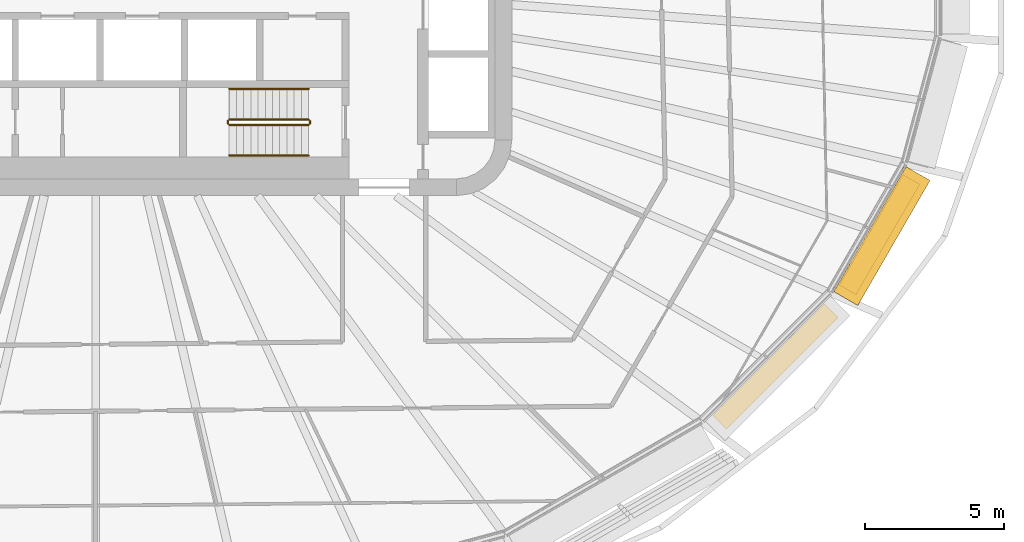
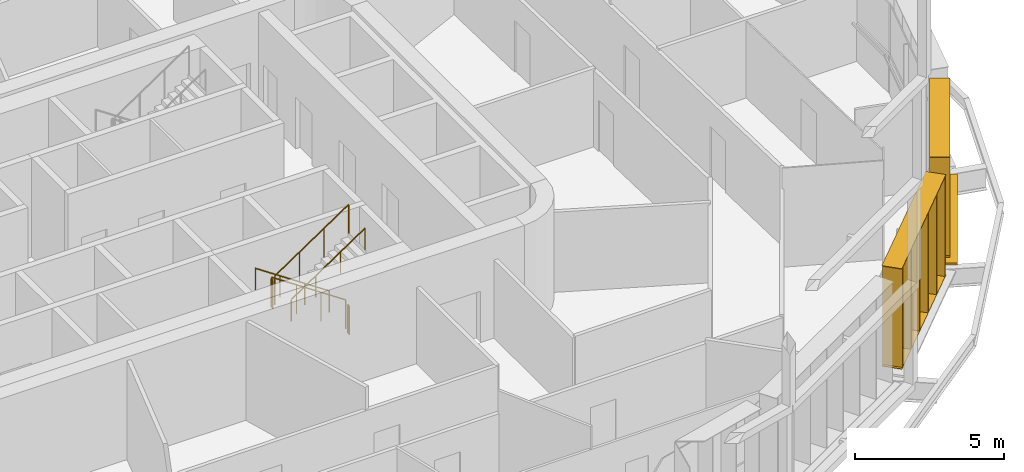
# One storey, part 21 of 23: 6 railings, 3 shading devices.
"""IFC4 building model written with IfcOpenShell, lengths in metres."""

from ifc_helpers import new_model, si_unit, direction, frame, origin, origin_2d, place, context, subcontext, project, spatial, rectangle, circle, extrude, material, type_object, element, save


model = new_model("IFC4")

# Units and contexts
model_context = context("Model", 3, precision=1e-05, world=origin(), true_north=direction((0.0, 1.0)))
body_context = subcontext(model_context, "Body", "Model", "MODEL_VIEW")
ifc_project = project(units=[si_unit("LENGTHUNIT", "METRE"), si_unit("AREAUNIT", "SQUARE_METRE"), si_unit("VOLUMEUNIT", "CUBIC_METRE"), si_unit("PLANEANGLEUNIT", "RADIAN"), si_unit("MASSUNIT", "GRAM", prefix="KILO")], contexts=[model_context])

# Site, building, storey
site_placement = place(None, origin())
site = spatial("IfcSite", under=ifc_project, at=site_placement, CompositionType="ELEMENT")
building_placement = place(site_placement, origin())
building = spatial("IfcBuilding", under=site, at=building_placement, Name="Sahrelin Media Tower", CompositionType="ELEMENT")
storey_placement = place(building_placement, frame((0.0, 0.0, 54.60009765625)))
storey = spatial("IfcBuildingStorey", under=building, at=storey_placement, Name="L08", CompositionType="ELEMENT", Elevation=54.60009765625)

# Shading devices
ifc_material_1 = material(Name="Champagne anodised aluminium 6063-T6", Category="aluminium")
shading_device_type_1 = type_object("IfcShadingDeviceType", Name="Fin cassette", PredefinedType="USERDEFINED", material=ifc_material_1)
shading_device_1_placement = place(storey_placement, frame((24.21826171875, -13.861572265625, 0.0), z_axis=(0.0, 0.0, 1.0), x_axis=(-0.707106781187, -0.707106781187, 0.0)))
element("IfcShadingDevice", 1, at=shading_device_1_placement, inside=storey, type_object=shading_device_type_1, Name="L08:FIN:L08-21", ObjectType="FIN", PredefinedType="USERDEFINED", context=body_context, shape_type="SweptSolid", body=[
    extrude(rectangle(XDim=5.699951171875, YDim=0.699951171875, at=origin_2d()), frame((0.0, 0.419921875, 0.0)), (0.0, 0.0, 1.0), 0.02001953125),
    extrude(rectangle(XDim=5.699951171875, YDim=0.699951171875, at=origin_2d()), frame((0.0, 0.419921875, 4.10009765625)), (0.0, 0.0, 1.0), 0.02001953125),
    extrude(rectangle(XDim=0.02001953125, YDim=0.699951171875, at=origin_2d()), frame((-2.75, 0.419921875, 0.010009765625), z_axis=(0.0, 0.0, 1.0), x_axis=(1.0, 0.0, 0.0)), (0.0, 0.0, 1.0), 4.10009765625),
    extrude(rectangle(XDim=0.02001953125, YDim=0.699951171875, at=origin_2d()), frame((-1.64990234375, 0.419921875, 0.010009765625), z_axis=(0.0, 0.0, 1.0), x_axis=(1.0, 0.0, 0.0)), (0.0, 0.0, 1.0), 4.10009765625),
    extrude(rectangle(XDim=0.02001953125, YDim=0.699951171875, at=origin_2d()), frame((-0.550048828125, 0.419921875, 0.010009765625), z_axis=(0.0, 0.0, 1.0), x_axis=(1.0, 0.0, 0.0)), (0.0, 0.0, 1.0), 4.10009765625),
    extrude(rectangle(XDim=0.02001953125, YDim=0.699951171875, at=origin_2d()), frame((0.550048828125, 0.419921875, 0.010009765625), z_axis=(0.0, 0.0, 1.0), x_axis=(1.0, 0.0, 0.0)), (0.0, 0.0, 1.0), 4.10009765625),
    extrude(rectangle(XDim=0.02001953125, YDim=0.699951171875, at=origin_2d()), frame((1.64990234375, 0.419921875, 0.010009765625), z_axis=(0.0, 0.0, 1.0), x_axis=(1.0, 0.0, 0.0)), (0.0, 0.0, 1.0), 4.10009765625),
    extrude(rectangle(XDim=0.02001953125, YDim=0.699951171875, at=origin_2d()), frame((2.75, 0.419921875, 0.010009765625), z_axis=(0.0, 0.0, 1.0), x_axis=(1.0, 0.0, 0.0)), (0.0, 0.0, 1.0), 4.10009765625),
])
placement = place(storey_placement, frame((27.893798828125, -9.196533203125, 0.0), z_axis=(0.0, 0.0, 1.0), x_axis=(-0.500011000363, -0.866019052629, 0.0)))
element("IfcShadingDevice", 2, at=placement, inside=storey, type_object=shading_device_type_1, Name="L08:FIN:L08-22", ObjectType="FIN", PredefinedType="USERDEFINED", context=body_context, shape_type="SweptSolid", body=[
    extrude(rectangle(XDim=4.60009765625, YDim=0.699951171875, at=origin_2d()), frame((0.0, 0.419921875, 0.0)), (0.0, 0.0, 1.0), 0.02001953125),
    extrude(rectangle(XDim=4.60009765625, YDim=0.699951171875, at=origin_2d()), frame((0.0, 0.419921875, 4.10009765625)), (0.0, 0.0, 1.0), 0.02001953125),
    extrude(rectangle(XDim=0.02001953125, YDim=0.699951171875, at=origin_2d()), frame((-2.199951171875, 0.419921875, 0.010009765625), z_axis=(0.0, 0.0, 1.0), x_axis=(1.0, 0.0, 0.0)), (0.0, 0.0, 1.0), 4.10009765625),
    extrude(rectangle(XDim=0.02001953125, YDim=0.699951171875, at=origin_2d()), frame((-1.10009765625, 0.419921875, 0.010009765625), z_axis=(0.0, 0.0, 1.0), x_axis=(1.0, 0.0, 0.0)), (0.0, 0.0, 1.0), 4.10009765625),
    extrude(rectangle(XDim=0.02001953125, YDim=0.699951171875, at=origin_2d()), frame((0.0, 0.419921875, 0.010009765625), z_axis=(0.0, 0.0, 1.0), x_axis=(1.0, 0.0, 0.0)), (0.0, 0.0, 1.0), 4.10009765625),
    extrude(rectangle(XDim=0.02001953125, YDim=0.699951171875, at=origin_2d()), frame((1.10009765625, 0.419921875, 0.010009765625), z_axis=(0.0, 0.0, 1.0), x_axis=(1.0, 0.0, 0.0)), (0.0, 0.0, 1.0), 4.10009765625),
    extrude(rectangle(XDim=0.02001953125, YDim=0.699951171875, at=origin_2d()), frame((2.199951171875, 0.419921875, 0.010009765625), z_axis=(0.0, 0.0, 1.0), x_axis=(1.0, 0.0, 0.0)), (0.0, 0.0, 1.0), 4.10009765625),
])

# Railings
ifc_material_2 = material(Name="Steel S355", Category="steel")
railing_type_1 = type_object("IfcRailingType", Name="Stair guard 1200", PredefinedType="GUARDRAIL", material=ifc_material_2)
railing_1_placement = place(storey_placement, frame((7.675048828125, -5.25, 0.1748046875)))
element("IfcRailing", 3, at=railing_1_placement, inside=storey, type_object=railing_type_1, Name="L08 ST2 stair guard 1", PredefinedType="GUARDRAIL", context=body_context, shape_type="SweptSolid", body=[
    extrude(circle(Radius=0.02392578125, at=origin_2d()), frame((0.0, 0.0, 1.17578125), z_axis=(-0.829590901723, 0.0, 0.558371682465), x_axis=(0.0, -1.0, 0.0)), (0.0, 0.0, 1.0), 3.447509765625),
    extrude(circle(Radius=0.02099609375, at=origin_2d()), origin(), (0.0, 0.0, 1.0), 1.15185546875),
    extrude(circle(Radius=0.02099609375, at=origin_2d()), frame((-0.953369140625, 0.0, 0.6416015625)), (0.0, 0.0, 1.0), 1.15185546875),
    extrude(circle(Radius=0.02099609375, at=origin_2d()), frame((-1.90673828125, 0.0, 1.283447265625)), (0.0, 0.0, 1.0), 1.15185546875),
    extrude(circle(Radius=0.02099609375, at=origin_2d()), frame((-2.860107421875, 0.0, 1.925048828125)), (0.0, 0.0, 1.0), 1.15185546875),
])
railing_2_placement = place(storey_placement, frame((4.764892578125, -5.300048828125, 2.099853515625)))
element("IfcRailing", 4, at=railing_2_placement, inside=storey, type_object=railing_type_1, Name="L08 ST2 stair guard 2", PredefinedType="GUARDRAIL", context=body_context, shape_type="SweptSolid", body=[
    extrude(circle(Radius=0.02392578125, at=origin_2d()), frame((0.0, 0.0, 1.17578125), z_axis=(0.0, -1.0, 0.0), x_axis=(1.0, 0.0, 0.0)), (0.0, 0.0, 1.0), 0.099853515625),
    extrude(circle(Radius=0.02099609375, at=origin_2d()), origin(), (0.0, 0.0, 1.0), 1.15185546875),
    extrude(circle(Radius=0.02099609375, at=origin_2d()), frame((0.0, -0.099853515625, 0.0)), (0.0, 0.0, 1.0), 1.15185546875),
])
railing_3_placement = place(storey_placement, frame((4.81494140625, -5.449951171875, 2.27490234375)))
element("IfcRailing", 5, at=railing_3_placement, inside=storey, type_object=railing_type_1, Name="L08 ST2 stair guard 3", PredefinedType="GUARDRAIL", context=body_context, shape_type="SweptSolid", body=[
    extrude(circle(Radius=0.02392578125, at=origin_2d()), frame((0.0, 0.0, 1.17578125), z_axis=(0.829590901723, 0.0, 0.558371682465), x_axis=(0.0, 1.0, 0.0)), (0.0, 0.0, 1.0), 3.447509765625),
    extrude(circle(Radius=0.02099609375, at=origin_2d()), origin(), (0.0, 0.0, 1.0), 1.15185546875),
    extrude(circle(Radius=0.02099609375, at=origin_2d()), frame((0.953369140625, 0.0, 0.6416015625)), (0.0, 0.0, 1.0), 1.15185546875),
    extrude(circle(Radius=0.02099609375, at=origin_2d()), frame((1.90673828125, 0.0, 1.283447265625)), (0.0, 0.0, 1.0), 1.15185546875),
    extrude(circle(Radius=0.02099609375, at=origin_2d()), frame((2.860107421875, 0.0, 1.925048828125)), (0.0, 0.0, 1.0), 1.15185546875),
])
railing_4_placement = place(storey_placement, frame((7.72509765625, -5.300048828125, 0.0)))
element("IfcRailing", 6, at=railing_4_placement, inside=storey, type_object=railing_type_1, Name="L08 ST2 stair guard 4", PredefinedType="GUARDRAIL", context=body_context, shape_type="SweptSolid", body=[
    extrude(circle(Radius=0.02392578125, at=origin_2d()), frame((0.0, 0.0, 1.17578125), z_axis=(0.0, -1.0, 0.0), x_axis=(1.0, 0.0, 0.0)), (0.0, 0.0, 1.0), 0.099853515625),
    extrude(circle(Radius=0.02099609375, at=origin_2d()), origin(), (0.0, 0.0, 1.0), 1.15185546875),
    extrude(circle(Radius=0.02099609375, at=origin_2d()), frame((0.0, -0.099853515625, 0.0)), (0.0, 0.0, 1.0), 1.15185546875),
])
railing_type_2 = type_object("IfcRailingType", Name="Stair handrail 900", PredefinedType="HANDRAIL", material=ifc_material_2)
railing_5_placement = place(storey_placement, frame((7.675048828125, -4.14990234375, 0.1748046875)))
element("IfcRailing", 7, at=railing_5_placement, inside=storey, type_object=railing_type_2, Name="L08 ST2 stair handrail 1", PredefinedType="HANDRAIL", context=body_context, shape_type="SweptSolid", body=[
    extrude(circle(Radius=0.02392578125, at=origin_2d()), frame((0.0, 0.0, 0.8759765625), z_axis=(-0.829590901723, 0.0, 0.558371682465), x_axis=(0.0, -1.0, 0.0)), (0.0, 0.0, 1.0), 3.447509765625),
    extrude(circle(Radius=0.02099609375, at=origin_2d()), origin(), (0.0, 0.0, 1.0), 0.851806640625),
    extrude(circle(Radius=0.02099609375, at=origin_2d()), frame((-0.953369140625, 0.0, 0.6416015625)), (0.0, 0.0, 1.0), 0.851806640625),
    extrude(circle(Radius=0.02099609375, at=origin_2d()), frame((-1.90673828125, 0.0, 1.283447265625)), (0.0, 0.0, 1.0), 0.851806640625),
    extrude(circle(Radius=0.02099609375, at=origin_2d()), frame((-2.860107421875, 0.0, 1.925048828125)), (0.0, 0.0, 1.0), 0.851806640625),
])
railing_6_placement = place(storey_placement, frame((4.81494140625, -6.550048828125, 2.27490234375)))
element("IfcRailing", 8, at=railing_6_placement, inside=storey, type_object=railing_type_2, Name="L08 ST2 stair handrail 2", PredefinedType="HANDRAIL", context=body_context, shape_type="SweptSolid", body=[
    extrude(circle(Radius=0.02392578125, at=origin_2d()), frame((0.0, 0.0, 0.8759765625), z_axis=(0.829590901723, 0.0, 0.558371682465), x_axis=(0.0, 1.0, 0.0)), (0.0, 0.0, 1.0), 3.447509765625),
    extrude(circle(Radius=0.02099609375, at=origin_2d()), origin(), (0.0, 0.0, 1.0), 0.851806640625),
    extrude(circle(Radius=0.02099609375, at=origin_2d()), frame((0.953369140625, 0.0, 0.6416015625)), (0.0, 0.0, 1.0), 0.851806640625),
    extrude(circle(Radius=0.02099609375, at=origin_2d()), frame((1.90673828125, 0.0, 1.283447265625)), (0.0, 0.0, 1.0), 0.851806640625),
    extrude(circle(Radius=0.02099609375, at=origin_2d()), frame((2.860107421875, 0.0, 1.925048828125)), (0.0, 0.0, 1.0), 0.851806640625),
])

# Shading device
shading_device_type_2 = type_object("IfcShadingDeviceType", Name="Sunshade band", PredefinedType="USERDEFINED", material=ifc_material_1)
element("IfcShadingDevice", 9, at=placement, inside=storey, type_object=shading_device_type_2, Name="L08:SUN:L08-22", ObjectType="SUNSHADE", PredefinedType="USERDEFINED", context=body_context, shape_type="SweptSolid", body=[
    extrude(rectangle(XDim=5.205810546875, YDim=0.050048828125, at=origin_2d()), frame((0.0, 0.044921875, -0.55126953125)), (0.0, 0.0, 1.0), 0.471435546875),
    extrude(rectangle(XDim=5.205810546875, YDim=1.0, at=origin_2d()), frame((0.0, 0.52001953125, -0.080078125)), (0.0, 0.0, 1.0), 0.080078125),
    extrude(rectangle(XDim=0.10009765625, YDim=0.074951171875, at=origin_2d()), frame((-2.502685546875, -0.017578125, -0.47021484375)), (0.0, 0.0, 1.0), 0.300048828125),
    extrude(rectangle(XDim=0.10009765625, YDim=0.074951171875, at=origin_2d()), frame((-0.834228515625, -0.017578125, -0.47021484375)), (0.0, 0.0, 1.0), 0.300048828125),
    extrude(rectangle(XDim=0.10009765625, YDim=0.074951171875, at=origin_2d()), frame((0.834228515625, -0.017578125, -0.47021484375)), (0.0, 0.0, 1.0), 0.300048828125),
    extrude(rectangle(XDim=0.10009765625, YDim=0.074951171875, at=origin_2d()), frame((2.502685546875, -0.017578125, -0.47021484375)), (0.0, 0.0, 1.0), 0.300048828125),
])

save(model, "model.ifc")
